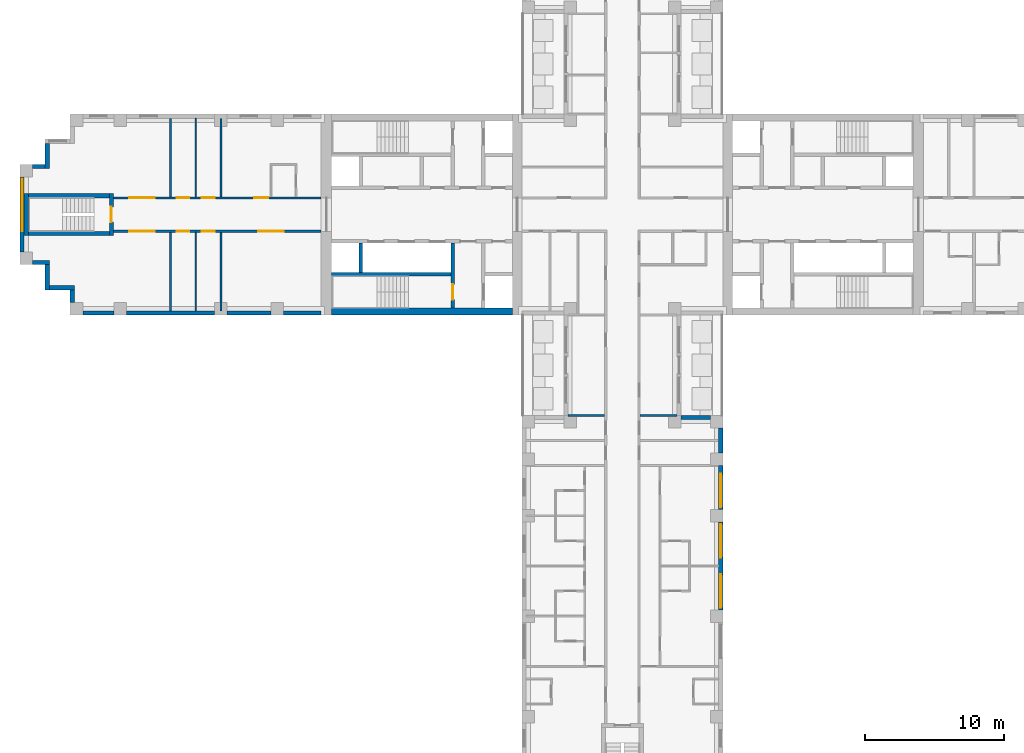
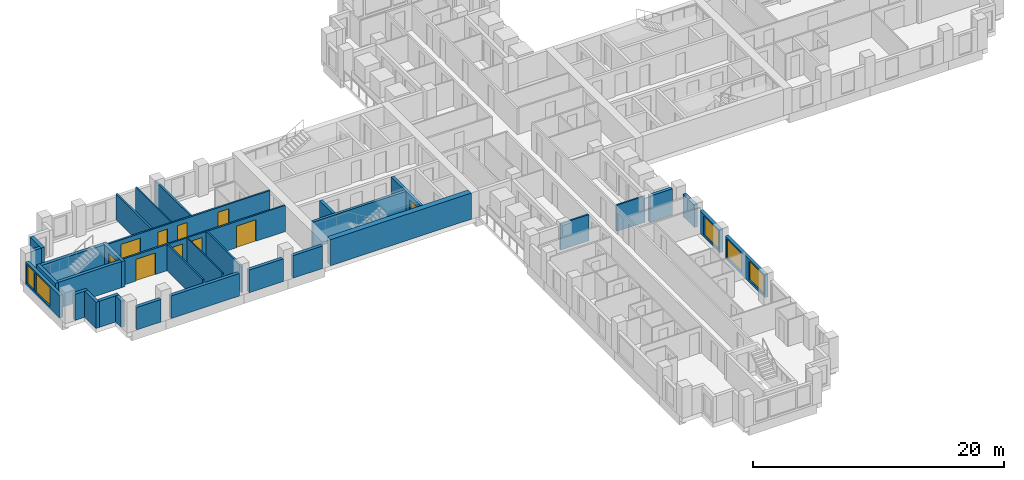
# One storey, part 5 of 13: 33 walls, 10 doors, 5 windows, 15 openings.
"""IFC4 building model written with IfcOpenShell, lengths in metres."""

from ifc_helpers import new_model, si_unit, direction, frame, frame_2d, origin, place, context, subcontext, project, spatial, rectangle, extrude, material, layer, layer_set, type_object, element, fill, save


model = new_model("IFC4")

# Units and contexts
model_context = context("Model", 3, precision=1e-05, world=origin(), true_north=direction((0.0, 1.0)))
body_context = subcontext(model_context, "Body", "Model", "MODEL_VIEW")
ifc_project = project(units=[si_unit("LENGTHUNIT", "METRE"), si_unit("AREAUNIT", "SQUARE_METRE"), si_unit("VOLUMEUNIT", "CUBIC_METRE"), si_unit("PLANEANGLEUNIT", "RADIAN"), si_unit("MASSUNIT", "GRAM", prefix="KILO")], contexts=[model_context])

# Site, building, storey
site_placement = place(None, origin())
site = spatial("IfcSite", under=ifc_project, at=site_placement, CompositionType="ELEMENT")
building_placement = place(site_placement, origin())
building = spatial("IfcBuilding", under=site, at=building_placement, Name="Fustian Cross Tower", CompositionType="ELEMENT")
storey_placement = place(building_placement, frame((0.0, 0.0, 108.89990234375)))
storey = spatial("IfcBuildingStorey", under=building, at=storey_placement, Name="L34", CompositionType="ELEMENT", Elevation=108.89990234375)

# Wall, openings, doors
ifc_material_1 = material(Name="Plasterboard on steel stud", Category="steel")
ifc_layer_1 = layer(ifc_material_1, 0.14990234375)
ifc_layer_set_1 = layer_set([ifc_layer_1], Name="Plasterboard on steel stud")
wall_type_1 = type_object("IfcWallType", Name="COMPARTMENT WALL 150 EI 60", PredefinedType="PARTITIONING", material=ifc_layer_set_1)
wall_1_placement = place(storey_placement, frame((-36.5, -1.199951171875, 0.0), z_axis=(0.0, 0.0, 1.0), x_axis=(1.0, 0.0, 0.0)))
wall_1 = element("IfcWall", 1, at=wall_1_placement, inside=storey, type_object=wall_type_1, Name="Partition 1", PredefinedType="PARTITIONING", context=body_context, shape_type="SweptSolid", body=[
    extrude(rectangle(XDim=14.89990234375, YDim=0.14990234375, at=frame_2d((7.449951171875, 0.0))), origin(), (0.0, 0.0, 1.0), 2.550048828125),
])
opening_1_placement = place(wall_1_placement, frame((10.39990234375, 0.0, 0.0)))
opening_1 = element("IfcOpeningElement", 2, at=opening_1_placement, cuts=wall_1, Name="Opening D15028", PredefinedType="OPENING", context=body_context, shape_type="SweptSolid", body=[
    extrude(rectangle(XDim=1.800048828125, YDim=2.10009765625, at=frame_2d((0.89990234375, 1.050048828125))), frame((0.0, 0.0849609375, 0.0), z_axis=(0.0, -1.0, 0.0), x_axis=(1.0, 0.0, 0.0)), (0.0, 0.0, 1.0), 0.169921875),
])
opening_2_placement = place(wall_1_placement, frame((6.35009765625, 0.0, 0.0)))
opening_2 = element("IfcOpeningElement", 3, at=opening_2_placement, cuts=wall_1, Name="Opening D15029", PredefinedType="OPENING", context=body_context, shape_type="SweptSolid", body=[
    extrude(rectangle(XDim=0.89990234375, YDim=2.10009765625, at=frame_2d((0.449951171875, 1.050048828125))), frame((0.0, 0.0849609375, 0.0), z_axis=(0.0, -1.0, 0.0), x_axis=(1.0, 0.0, 0.0)), (0.0, 0.0, 1.0), 0.169921875),
])
opening_3_placement = place(wall_1_placement, frame((4.550048828125, 0.0, 0.0)))
opening_3 = element("IfcOpeningElement", 4, at=opening_3_placement, cuts=wall_1, Name="Opening D15030", PredefinedType="OPENING", context=body_context, shape_type="SweptSolid", body=[
    extrude(rectangle(XDim=0.89990234375, YDim=2.10009765625, at=frame_2d((0.449951171875, 1.050048828125))), frame((0.0, 0.0849609375, 0.0), z_axis=(0.0, -1.0, 0.0), x_axis=(1.0, 0.0, 0.0)), (0.0, 0.0, 1.0), 0.169921875),
])
opening_4_placement = place(wall_1_placement, frame((1.14990234375, 0.0, 0.0)))
opening_4 = element("IfcOpeningElement", 5, at=opening_4_placement, cuts=wall_1, Name="Opening D15031", PredefinedType="OPENING", context=body_context, shape_type="SweptSolid", body=[
    extrude(rectangle(XDim=1.800048828125, YDim=2.10009765625, at=frame_2d((0.89990234375, 1.050048828125))), frame((0.0, 0.0849609375, 0.0), z_axis=(0.0, -1.0, 0.0), x_axis=(1.0, 0.0, 0.0)), (0.0, 0.0, 1.0), 0.169921875),
])
ifc_material_2 = material(Name="Timber fire door set", Category="wood")
door_type_1 = type_object("IfcDoorType", Name="FIRE DOUBLE DOOR 1800 FD30S", OperationType="DOUBLE_DOOR_DOUBLE_SWING", PredefinedType="DOOR", material=ifc_material_2)
door_1_placement = place(opening_1_placement, origin())
door_1 = element("IfcDoor", 6, at=door_1_placement, inside=storey, type_object=door_type_1, Name="Door D15028", OperationType="DOUBLE_DOOR_DOUBLE_SWING", OverallHeight=2.10009765625, OverallWidth=1.800048828125, PredefinedType="DOOR", context=body_context, shape_type="SweptSolid", body=[
    extrude(rectangle(XDim=1.800048828125, YDim=2.10009765625, at=frame_2d((0.89990234375, 1.050048828125))), frame((0.0, 0.02490234375, 0.0), z_axis=(0.0, -1.0, 0.0), x_axis=(1.0, 0.0, 0.0)), (0.0, 0.0, 1.0), 0.050048828125),
])
fill(opening_1, door_1)
door_2_placement = place(opening_4_placement, origin())
door_2 = element("IfcDoor", 7, at=door_2_placement, inside=storey, type_object=door_type_1, Name="Door D15031", OperationType="DOUBLE_DOOR_DOUBLE_SWING", OverallHeight=2.10009765625, OverallWidth=1.800048828125, PredefinedType="DOOR", context=body_context, shape_type="SweptSolid", body=[
    extrude(rectangle(XDim=1.800048828125, YDim=2.10009765625, at=frame_2d((0.89990234375, 1.050048828125))), frame((0.0, 0.02490234375, 0.0), z_axis=(0.0, -1.0, 0.0), x_axis=(1.0, 0.0, 0.0)), (0.0, 0.0, 1.0), 0.050048828125),
])
fill(opening_4, door_2)
ifc_material_3 = material(Name="Timber fire door set", Category="wood")
door_type_2 = type_object("IfcDoorType", Name="FIRE SWING DOOR 900 FD30S", OperationType="SINGLE_SWING_LEFT", PredefinedType="DOOR", material=ifc_material_3)
door_3_placement = place(opening_2_placement, frame((0.89990234375, 0.0, 0.0), z_axis=(0.0, 0.0, 1.0), x_axis=(-1.0, 0.0, 0.0)))
door_3 = element("IfcDoor", 8, at=door_3_placement, inside=storey, type_object=door_type_2, Name="Door D15029", OperationType="SINGLE_SWING_LEFT", OverallHeight=2.10009765625, OverallWidth=0.89990234375, PredefinedType="DOOR", context=body_context, shape_type="SweptSolid", body=[
    extrude(rectangle(XDim=0.89990234375, YDim=2.10009765625, at=frame_2d((0.449951171875, 1.050048828125))), frame((0.0, 0.02490234375, 0.0), z_axis=(0.0, -1.0, 0.0), x_axis=(1.0, 0.0, 0.0)), (0.0, 0.0, 1.0), 0.050048828125),
])
fill(opening_2, door_3)
door_4_placement = place(opening_3_placement, frame((0.89990234375, 0.0, 0.0), z_axis=(0.0, 0.0, 1.0), x_axis=(-1.0, 0.0, 0.0)))
door_4 = element("IfcDoor", 9, at=door_4_placement, inside=storey, type_object=door_type_2, Name="Door D15030", OperationType="SINGLE_SWING_LEFT", OverallHeight=2.10009765625, OverallWidth=0.89990234375, PredefinedType="DOOR", context=body_context, shape_type="SweptSolid", body=[
    extrude(rectangle(XDim=0.89990234375, YDim=2.10009765625, at=frame_2d((0.449951171875, 1.050048828125))), frame((0.0, 0.02490234375, 0.0), z_axis=(0.0, -1.0, 0.0), x_axis=(1.0, 0.0, 0.0)), (0.0, 0.0, 1.0), 0.050048828125),
])
fill(opening_3, door_4)

wall_2_placement = place(storey_placement, frame((-36.5, 1.199951171875, 0.0), z_axis=(0.0, 0.0, 1.0), x_axis=(1.0, 0.0, 0.0)))
wall_2 = element("IfcWall", 10, at=wall_2_placement, inside=storey, type_object=wall_type_1, Name="Partition 2", PredefinedType="PARTITIONING", context=body_context, shape_type="SweptSolid", body=[
    extrude(rectangle(XDim=14.89990234375, YDim=0.14990234375, at=frame_2d((7.449951171875, 0.0))), origin(), (0.0, 0.0, 1.0), 2.550048828125),
])
opening_5_placement = place(wall_2_placement, frame((10.10009765625, 0.0, 0.0)))
opening_5 = element("IfcOpeningElement", 11, at=opening_5_placement, cuts=wall_2, Name="Opening D15033", PredefinedType="OPENING", context=body_context, shape_type="SweptSolid", body=[
    extrude(rectangle(XDim=1.0, YDim=2.10009765625, at=frame_2d((0.5, 1.050048828125))), frame((0.0, 0.0849609375, 0.0), z_axis=(0.0, -1.0, 0.0), x_axis=(1.0, 0.0, 0.0)), (0.0, 0.0, 1.0), 0.169921875),
])
opening_6_placement = place(wall_2_placement, frame((6.35009765625, 0.0, 0.0)))
opening_6 = element("IfcOpeningElement", 12, at=opening_6_placement, cuts=wall_2, Name="Opening D15034", PredefinedType="OPENING", context=body_context, shape_type="SweptSolid", body=[
    extrude(rectangle(XDim=0.89990234375, YDim=2.10009765625, at=frame_2d((0.449951171875, 1.050048828125))), frame((0.0, 0.0849609375, 0.0), z_axis=(0.0, -1.0, 0.0), x_axis=(1.0, 0.0, 0.0)), (0.0, 0.0, 1.0), 0.169921875),
])
opening_7_placement = place(wall_2_placement, frame((4.550048828125, 0.0, 0.0)))
opening_7 = element("IfcOpeningElement", 13, at=opening_7_placement, cuts=wall_2, Name="Opening D15035", PredefinedType="OPENING", context=body_context, shape_type="SweptSolid", body=[
    extrude(rectangle(XDim=0.89990234375, YDim=2.10009765625, at=frame_2d((0.449951171875, 1.050048828125))), frame((0.0, 0.0849609375, 0.0), z_axis=(0.0, -1.0, 0.0), x_axis=(1.0, 0.0, 0.0)), (0.0, 0.0, 1.0), 0.169921875),
])
opening_8_placement = place(wall_2_placement, frame((1.14990234375, 0.0, 0.0)))
opening_8 = element("IfcOpeningElement", 14, at=opening_8_placement, cuts=wall_2, Name="Opening D15036", PredefinedType="OPENING", context=body_context, shape_type="SweptSolid", body=[
    extrude(rectangle(XDim=1.800048828125, YDim=2.10009765625, at=frame_2d((0.89990234375, 1.050048828125))), frame((0.0, 0.0849609375, 0.0), z_axis=(0.0, -1.0, 0.0), x_axis=(1.0, 0.0, 0.0)), (0.0, 0.0, 1.0), 0.169921875),
])
door_5_placement = place(opening_8_placement, frame((1.800048828125, 0.0, 0.0), z_axis=(0.0, 0.0, 1.0), x_axis=(-1.0, 0.0, 0.0)))
door_5 = element("IfcDoor", 15, at=door_5_placement, inside=storey, type_object=door_type_1, Name="Door D15036", OperationType="DOUBLE_DOOR_DOUBLE_SWING", OverallHeight=2.10009765625, OverallWidth=1.800048828125, PredefinedType="DOOR", context=body_context, shape_type="SweptSolid", body=[
    extrude(rectangle(XDim=1.800048828125, YDim=2.10009765625, at=frame_2d((0.89990234375, 1.050048828125))), frame((0.0, 0.02490234375, 0.0), z_axis=(0.0, -1.0, 0.0), x_axis=(1.0, 0.0, 0.0)), (0.0, 0.0, 1.0), 0.050048828125),
])
fill(opening_8, door_5)
ifc_material_4 = material(Name="Timber fire door set", Category="wood")
door_type_3 = type_object("IfcDoorType", Name="FIRE SWING DOOR 1000 FD30S", OperationType="SINGLE_SWING_LEFT", PredefinedType="DOOR", material=ifc_material_4)
door_6_placement = place(opening_5_placement, origin())
door_6 = element("IfcDoor", 16, at=door_6_placement, inside=storey, type_object=door_type_3, Name="Door D15033", OperationType="SINGLE_SWING_RIGHT", OverallHeight=2.10009765625, OverallWidth=1.0, PredefinedType="DOOR", context=body_context, shape_type="SweptSolid", body=[
    extrude(rectangle(XDim=1.0, YDim=2.10009765625, at=frame_2d((0.5, 1.050048828125))), frame((0.0, 0.02490234375, 0.0), z_axis=(0.0, -1.0, 0.0), x_axis=(1.0, 0.0, 0.0)), (0.0, 0.0, 1.0), 0.050048828125),
])
fill(opening_5, door_6)
door_7_placement = place(opening_6_placement, origin())
door_7 = element("IfcDoor", 17, at=door_7_placement, inside=storey, type_object=door_type_2, Name="Door D15034", OperationType="SINGLE_SWING_RIGHT", OverallHeight=2.10009765625, OverallWidth=0.89990234375, PredefinedType="DOOR", context=body_context, shape_type="SweptSolid", body=[
    extrude(rectangle(XDim=0.89990234375, YDim=2.10009765625, at=frame_2d((0.449951171875, 1.050048828125))), frame((0.0, 0.02490234375, 0.0), z_axis=(0.0, -1.0, 0.0), x_axis=(1.0, 0.0, 0.0)), (0.0, 0.0, 1.0), 0.050048828125),
])
fill(opening_6, door_7)
door_8_placement = place(opening_7_placement, origin())
door_8 = element("IfcDoor", 18, at=door_8_placement, inside=storey, type_object=door_type_2, Name="Door D15035", OperationType="SINGLE_SWING_RIGHT", OverallHeight=2.10009765625, OverallWidth=0.89990234375, PredefinedType="DOOR", context=body_context, shape_type="SweptSolid", body=[
    extrude(rectangle(XDim=0.89990234375, YDim=2.10009765625, at=frame_2d((0.449951171875, 1.050048828125))), frame((0.0, 0.02490234375, 0.0), z_axis=(0.0, -1.0, 0.0), x_axis=(1.0, 0.0, 0.0)), (0.0, 0.0, 1.0), 0.050048828125),
])
fill(opening_7, door_8)

# Walls
for number, where, z_axis, x_axis, name in (
    (19, (-32.39990234375, -6.89990234375, 0.0), (0.0, 0.0, 1.0), (0.0, 1.0, 0.0), "Partition 3"),
    (20, (-32.39990234375, 1.27490234375, 0.0), (0.0, 0.0, 1.0), (0.0, 1.0, 0.0), "Partition 4"),
    (21, (-28.800048828125, -6.89990234375, 0.0), (0.0, 0.0, 1.0), (0.0, 1.0, 0.0), "Partition 7"),
    (22, (-28.800048828125, 1.27490234375, 0.0), (0.0, 0.0, 1.0), (0.0, 1.0, 0.0), "Partition 8"),
):
    element("IfcWall", number, at=place(storey_placement, frame(where, z_axis=z_axis, x_axis=x_axis)), inside=storey, type_object=wall_type_1, Name=name, PredefinedType="PARTITIONING", context=body_context, shape_type="SweptSolid", body=[
        extrude(rectangle(XDim=5.625, YDim=0.14990234375, at=frame_2d((2.8125, 0.0))), origin(), (0.0, 0.0, 1.0), 2.550048828125),
    ])
for number, where, z_axis, x_axis, name in (
    (23, (-3.89990234375, -14.39990234375, 0.0), (0.0, 0.0, 1.0), (1.0, 0.0, 0.0), "Partition 31"),
    (24, (1.27490234375, -14.39990234375, 0.0), (0.0, 0.0, 1.0), (1.0, 0.0, 0.0), "Partition 47"),
):
    element("IfcWall", number, at=place(storey_placement, frame(where, z_axis=z_axis, x_axis=x_axis)), inside=storey, type_object=wall_type_1, Name=name, PredefinedType="PARTITIONING", context=body_context, shape_type="SweptSolid", body=[
        extrude(rectangle(XDim=2.625, YDim=0.14990234375, at=frame_2d((1.3125, 0.0))), origin(), (0.0, 0.0, 1.0), 2.550048828125),
    ])
ifc_material_5 = material(Name="Concrete C70/85", Category="concrete")
ifc_layer_2 = layer(ifc_material_5, 0.5)
ifc_layer_set_2 = layer_set([ifc_layer_2], Name="Concrete C70/85")
wall_type_2 = type_object("IfcWallType", Name="CORE FACADE WALL 500 C70/85", PredefinedType="SHEAR", material=ifc_layer_set_2)
wall_3_placement = place(storey_placement, frame((-7.89990234375, -6.949951171875, 0.0), z_axis=(0.0, 0.0, 1.0), x_axis=(-1.0, 0.0, 0.0)))
element("IfcWall", 25, at=wall_3_placement, inside=storey, type_object=wall_type_2, Name="Core facade wall", PredefinedType="SHEAR", context=body_context, shape_type="SweptSolid", body=[
    extrude(rectangle(XDim=12.9501953125, YDim=0.5, at=frame_2d((6.47509765625, 0.0))), origin(), (0.0, 0.0, 1.0), 2.550048828125),
])
ifc_material_6 = material(Name="Concrete C50/60", Category="concrete")
ifc_layer_3 = layer(ifc_material_6, 0.25)
ifc_layer_set_3 = layer_set([ifc_layer_3], Name="Concrete C50/60")
wall_type_3 = type_object("IfcWallType", Name="CORE SHAFT WALL 250 C50/60", PredefinedType="SHEAR", material=ifc_layer_set_3)
wall_4_placement = place(storey_placement, frame((-12.300048828125, -4.27490234375, 0.0), z_axis=(0.0, 0.0, 1.0), x_axis=(-1.0, 0.0, 0.0)))
element("IfcWall", 26, at=wall_4_placement, inside=storey, type_object=wall_type_3, Name="Core shaft wall", PredefinedType="SHEAR", context=body_context, shape_type="SweptSolid", body=[
    extrude(rectangle(XDim=8.550048828125, YDim=0.25, at=frame_2d((4.27490234375, 0.0))), origin(), (0.0, 0.0, 1.0), 2.550048828125),
])

# Wall, opening, door
wall_5_placement = place(storey_placement, frame((-12.175048828125, -2.050048828125, 0.0), z_axis=(0.0, 0.0, 1.0), x_axis=(0.0, -1.0, 0.0)))
wall_5 = element("IfcWall", 27, at=wall_5_placement, inside=storey, type_object=wall_type_3, Name="Core shaft wall", PredefinedType="SHEAR", context=body_context, shape_type="SweptSolid", body=[
    extrude(rectangle(XDim=4.64990234375, YDim=0.25, at=frame_2d((2.324951171875, 0.0))), origin(), (0.0, 0.0, 1.0), 2.550048828125),
])
opening_9_placement = place(wall_5_placement, frame((2.949951171875, 0.0, 0.0)))
opening_9 = element("IfcOpeningElement", 28, at=opening_9_placement, cuts=wall_5, Name="Opening CD-12-22", PredefinedType="OPENING", context=body_context, shape_type="SweptSolid", body=[
    extrude(rectangle(XDim=1.10009765625, YDim=2.10009765625, at=frame_2d((0.550048828125, 1.050048828125))), frame((0.0, 0.135009765625, 0.0), z_axis=(0.0, -1.0, 0.0), x_axis=(1.0, 0.0, 0.0)), (0.0, 0.0, 1.0), 0.27001953125),
])
ifc_material_7 = material(Name="Steel", Category="steel")
door_type_4 = type_object("IfcDoorType", Name="FIRE DOOR FD60S 1100X2100", OperationType="SINGLE_SWING_LEFT", PredefinedType="DOOR", material=ifc_material_7)
door_9_placement = place(opening_9_placement, frame((1.10009765625, 0.0, 0.0), z_axis=(0.0, 0.0, 1.0), x_axis=(-1.0, 0.0, 0.0)))
door_9 = element("IfcDoor", 29, at=door_9_placement, inside=storey, type_object=door_type_4, Name="Core door CD-12-22", OperationType="SINGLE_SWING_RIGHT", OverallHeight=2.10009765625, OverallWidth=1.10009765625, PredefinedType="DOOR", context=body_context, shape_type="SweptSolid", body=[
    extrude(rectangle(XDim=1.10009765625, YDim=2.10009765625, at=frame_2d((0.550048828125, 1.050048828125))), frame((0.0, 0.02490234375, 0.0), z_axis=(0.0, -1.0, 0.0), x_axis=(1.0, 0.0, 0.0)), (0.0, 0.0, 1.0), 0.050048828125),
])
fill(opening_9, door_9)

# Walls
ifc_material_8 = material(Name="Plasterboard on steel stud", Category="steel")
ifc_layer_4 = layer(ifc_material_8, 0.10009765625)
ifc_layer_set_4 = layer_set([ifc_layer_4], Name="Plasterboard on steel stud")
wall_type_4 = type_object("IfcWallType", Name="PARTITION 100 STUD", PredefinedType="PARTITIONING", material=ifc_layer_set_4)
for number, where, z_axis, x_axis, name in (
    (30, (-30.60009765625, -6.89990234375, 0.0), (0.0, 0.0, 1.0), (0.0, 1.0, 0.0), "Partition 5"),
    (31, (-30.60009765625, 1.27490234375, 0.0), (0.0, 0.0, 1.0), (0.0, 1.0, 0.0), "Partition 6"),
):
    element("IfcWall", number, at=place(storey_placement, frame(where, z_axis=z_axis, x_axis=x_axis)), inside=storey, type_object=wall_type_4, Name=name, PredefinedType="PARTITIONING", context=body_context, shape_type="SweptSolid", body=[
        extrude(rectangle(XDim=5.625, YDim=0.10009765625, at=frame_2d((2.8125, 0.0))), origin(), (0.0, 0.0, 1.0), 2.550048828125),
    ])
ifc_material_9 = material(Name="Concrete C40/50", Category="concrete")
ifc_layer_5 = layer(ifc_material_9, 0.25)
ifc_layer_set_5 = layer_set([ifc_layer_5], Name="Concrete C40/50")
wall_type_5 = type_object("IfcWallType", Name="SHAFT PARTITION WALL 250 C40/50", PredefinedType="PARTITIONING", material=ifc_layer_set_5)
wall_6_placement = place(storey_placement, frame((-18.77490234375, -2.050048828125, 0.0), z_axis=(0.0, 0.0, 1.0), x_axis=(0.0, -1.0, 0.0)))
element("IfcWall", 32, at=wall_6_placement, inside=storey, type_object=wall_type_5, Name="Core shaft wall", PredefinedType="PARTITIONING", context=body_context, shape_type="SweptSolid", body=[
    extrude(rectangle(XDim=2.099853515625, YDim=0.25, at=frame_2d((1.0498046875, 0.0))), origin(), (0.0, 0.0, 1.0), 2.550048828125),
])

# Wall, opening, door
ifc_material_10 = material(Name="Concrete C50/60", Category="concrete")
ifc_layer_6 = layer(ifc_material_10, 0.300048828125)
ifc_layer_set_6 = layer_set([ifc_layer_6], Name="Concrete C50/60")
wall_type_6 = type_object("IfcWallType", Name="STAIR ENCLOSURE WALL 300 C50/60", PredefinedType="SHEAR", material=ifc_layer_set_6)
wall_7_placement = place(storey_placement, frame((-36.64990234375, -1.5, 0.0), z_axis=(0.0, 0.0, 1.0), x_axis=(0.0, 1.0, 0.0)))
wall_7 = element("IfcWall", 33, at=wall_7_placement, inside=storey, type_object=wall_type_6, Name="Stair enclosure wall", PredefinedType="SHEAR", context=body_context, shape_type="SweptSolid", body=[
    extrude(rectangle(XDim=3.0, YDim=0.300048828125, at=frame_2d((1.5, 0.0))), origin(), (0.0, 0.0, 1.0), 2.550048828125),
])
opening_10_placement = place(wall_7_placement, frame((0.949951171875, 0.0, 0.0)))
opening_10 = element("IfcOpeningElement", 34, at=opening_10_placement, cuts=wall_7, Name="Opening CD-12-33", PredefinedType="OPENING", context=body_context, shape_type="SweptSolid", body=[
    extrude(rectangle(XDim=1.10009765625, YDim=2.10009765625, at=frame_2d((0.550048828125, 1.050048828125))), frame((0.0, 0.159912109375, 0.0), z_axis=(0.0, -1.0, 0.0), x_axis=(1.0, 0.0, 0.0)), (0.0, 0.0, 1.0), 0.320068359375),
])
door_10_placement = place(opening_10_placement, origin())
door_10 = element("IfcDoor", 35, at=door_10_placement, inside=storey, type_object=door_type_4, Name="Core door CD-12-33", OperationType="SINGLE_SWING_LEFT", OverallHeight=2.10009765625, OverallWidth=1.10009765625, PredefinedType="DOOR", context=body_context, shape_type="SweptSolid", body=[
    extrude(rectangle(XDim=1.10009765625, YDim=2.10009765625, at=frame_2d((0.550048828125, 1.050048828125))), frame((0.0, 0.02490234375, 0.0), z_axis=(0.0, -1.0, 0.0), x_axis=(1.0, 0.0, 0.0)), (0.0, 0.0, 1.0), 0.050048828125),
])
fill(opening_10, door_10)

# Walls
wall_8_placement = place(storey_placement, frame((-42.75, -1.5, 0.0), z_axis=(0.0, 0.0, 1.0), x_axis=(0.0, 1.0, 0.0)))
element("IfcWall", 36, at=wall_8_placement, inside=storey, type_object=wall_type_6, Name="Stair enclosure wall", PredefinedType="SHEAR", context=body_context, shape_type="SweptSolid", body=[
    extrude(rectangle(XDim=3.0, YDim=0.300048828125, at=frame_2d((1.5, 0.0))), origin(), (0.0, 0.0, 1.0), 2.550048828125),
])
for number, where, z_axis, x_axis, name in (
    (37, (-36.800048828125, -1.35009765625, 0.0), (0.0, 0.0, 1.0), (-1.0, 0.0, 0.0), "Stair enclosure wall"),
    (38, (-36.800048828125, 1.35009765625, 0.0), (0.0, 0.0, 1.0), (-1.0, 0.0, 0.0), "Stair enclosure wall"),
):
    element("IfcWall", number, at=place(storey_placement, frame(where, z_axis=z_axis, x_axis=x_axis)), inside=storey, type_object=wall_type_6, Name=name, PredefinedType="SHEAR", context=body_context, shape_type="SweptSolid", body=[
        extrude(rectangle(XDim=5.800048828125, YDim=0.300048828125, at=frame_2d((2.89990234375, 0.0))), origin(), (0.0, 0.0, 1.0), 2.550048828125),
    ])
ifc_material_11 = material(Name="Dark aluminium cladding on insulated backing wall", Category="aluminium")
ifc_layer_7 = layer(ifc_material_11, 0.300048828125)
ifc_layer_set_7 = layer_set([ifc_layer_7], Name="Dark aluminium cladding on insulated backing wall")
wall_type_7 = type_object("IfcWallType", Name="XW1 EXTERNAL WALL 300", PredefinedType="SOLIDWALL", material=ifc_layer_set_7)
wall_9_placement = place(storey_placement, frame((-41.25, 5.10009765625, 0.0), z_axis=(0.0, 0.0, 1.0), x_axis=(0.0, -1.0, 0.0)))
element("IfcWall", 39, at=wall_9_placement, inside=storey, type_object=wall_type_7, Name="External wall", PredefinedType="SOLIDWALL", context=body_context, shape_type="SweptSolid", body=[
    extrude(rectangle(XDim=1.800048828125, YDim=0.300048828125, at=frame_2d((0.89990234375, 0.0))), origin(), (0.0, 0.0, 1.0), 2.550048828125),
])
wall_10_placement = place(storey_placement, frame((-41.39990234375, 3.449951171875, 0.0), z_axis=(0.0, 0.0, 1.0), x_axis=(-1.0, 0.0, 0.0)))
element("IfcWall", 40, at=wall_10_placement, inside=storey, type_object=wall_type_7, Name="External wall", PredefinedType="SOLIDWALL", context=body_context, shape_type="SweptSolid", body=[
    extrude(rectangle(XDim=0.900146484375, YDim=0.300048828125, at=frame_2d((0.4501953125, 0.0))), origin(), (0.0, 0.0, 1.0), 2.550048828125),
])

# Wall, openings, windows
wall_11_placement = place(storey_placement, frame((-43.050048828125, 2.699951171875, 0.0), z_axis=(0.0, 0.0, 1.0), x_axis=(0.0, -1.0, 0.0)))
wall_11 = element("IfcWall", 41, at=wall_11_placement, inside=storey, type_object=wall_type_7, Name="External wall", PredefinedType="SOLIDWALL", context=body_context, shape_type="SweptSolid", body=[
    extrude(rectangle(XDim=5.39990234375, YDim=0.300048828125, at=frame_2d((2.699951171875, 0.0))), origin(), (0.0, 0.0, 1.0), 2.2001953125),
])
opening_11_placement = place(wall_11_placement, frame((1.5, 0.0, 0.199951171875)))
opening_11 = element("IfcOpeningElement", 42, at=opening_11_placement, cuts=wall_11, Name="Opening WN1", PredefinedType="OPENING", context=body_context, shape_type="SweptSolid", body=[
    extrude(rectangle(XDim=2.39990234375, YDim=1.85009765625, at=frame_2d((1.199951171875, 0.925048828125))), frame((0.0, 0.159912109375, 0.0), z_axis=(0.0, -1.0, 0.0), x_axis=(1.0, 0.0, 0.0)), (0.0, 0.0, 1.0), 0.320068359375),
])
opening_12_placement = place(wall_11_placement, frame((0.14990234375, 0.0, 0.199951171875)))
opening_12 = element("IfcOpeningElement", 43, at=opening_12_placement, cuts=wall_11, Name="Opening WN3", PredefinedType="OPENING", context=body_context, shape_type="SweptSolid", body=[
    extrude(rectangle(XDim=1.199951171875, YDim=1.85009765625, at=frame_2d((0.60009765625, 0.925048828125))), frame((0.0, 0.159912109375, 0.0), z_axis=(0.0, -1.0, 0.0), x_axis=(1.0, 0.0, 0.0)), (0.0, 0.0, 1.0), 0.320068359375),
])
ifc_material_12 = material(Name="Dark anodised aluminium and double glazing", Category="aluminium")
window_type_1 = type_object("IfcWindowType", Name="WN1 WINDOW 2400X1850", PartitioningType="SINGLE_PANEL", PredefinedType="WINDOW", material=ifc_material_12)
window_1_placement = place(opening_11_placement, origin())
window_1 = element("IfcWindow", 44, at=window_1_placement, inside=storey, type_object=window_type_1, Name="Window", OverallHeight=1.85009765625, OverallWidth=2.39990234375, PartitioningType="SINGLE_PANEL", PredefinedType="WINDOW", context=body_context, shape_type="SweptSolid", body=[
    extrude(rectangle(XDim=2.39990234375, YDim=1.85009765625, at=frame_2d((1.199951171875, 0.925048828125))), frame((0.0, 0.030029296875, 0.0), z_axis=(0.0, -1.0, 0.0), x_axis=(1.0, 0.0, 0.0)), (0.0, 0.0, 1.0), 0.06005859375),
])
fill(opening_11, window_1)
ifc_material_13 = material(Name="Dark anodised aluminium and double glazing", Category="aluminium")
window_type_2 = type_object("IfcWindowType", Name="WN3 WINDOW 1200X1850", PartitioningType="SINGLE_PANEL", PredefinedType="WINDOW", material=ifc_material_13)
window_2_placement = place(opening_12_placement, origin())
window_2 = element("IfcWindow", 45, at=window_2_placement, inside=storey, type_object=window_type_2, Name="Window", OverallHeight=1.85009765625, OverallWidth=1.199951171875, PartitioningType="SINGLE_PANEL", PredefinedType="WINDOW", context=body_context, shape_type="SweptSolid", body=[
    extrude(rectangle(XDim=1.199951171875, YDim=1.85009765625, at=frame_2d((0.60009765625, 0.925048828125))), frame((0.0, 0.030029296875, 0.0), z_axis=(0.0, -1.0, 0.0), x_axis=(1.0, 0.0, 0.0)), (0.0, 0.0, 1.0), 0.06005859375),
])
fill(opening_12, window_2)

# Walls
wall_12_placement = place(storey_placement, frame((-42.300048828125, -3.449951171875, 0.0), z_axis=(0.0, 0.0, 1.0), x_axis=(1.0, 0.0, 0.0)))
element("IfcWall", 46, at=wall_12_placement, inside=storey, type_object=wall_type_7, Name="External wall", PredefinedType="SOLIDWALL", context=body_context, shape_type="SweptSolid", body=[
    extrude(rectangle(XDim=1.199951171875, YDim=0.300048828125, at=frame_2d((0.60009765625, 0.0))), origin(), (0.0, 0.0, 1.0), 2.550048828125),
])
wall_13_placement = place(storey_placement, frame((-41.25, -3.60009765625, 0.0), z_axis=(0.0, 0.0, 1.0), x_axis=(0.0, -1.0, 0.0)))
element("IfcWall", 47, at=wall_13_placement, inside=storey, type_object=wall_type_7, Name="External wall", PredefinedType="SOLIDWALL", context=body_context, shape_type="SweptSolid", body=[
    extrude(rectangle(XDim=1.7998046875, YDim=0.300048828125, at=frame_2d((0.89990234375, 0.0))), origin(), (0.0, 0.0, 1.0), 2.550048828125),
])
wall_14_placement = place(storey_placement, frame((-41.10009765625, -5.25, 0.0), z_axis=(0.0, 0.0, 1.0), x_axis=(1.0, 0.0, 0.0)))
element("IfcWall", 48, at=wall_14_placement, inside=storey, type_object=wall_type_7, Name="External wall", PredefinedType="SOLIDWALL", context=body_context, shape_type="SweptSolid", body=[
    extrude(rectangle(XDim=1.800048828125, YDim=0.300048828125, at=frame_2d((0.89990234375, 0.0))), origin(), (0.0, 0.0, 1.0), 2.550048828125),
])
wall_15_placement = place(storey_placement, frame((-39.449951171875, -5.39990234375, 0.0), z_axis=(0.0, 0.0, 1.0), x_axis=(0.0, -1.0, 0.0)))
element("IfcWall", 49, at=wall_15_placement, inside=storey, type_object=wall_type_7, Name="External wall", PredefinedType="SOLIDWALL", context=body_context, shape_type="SweptSolid", body=[
    extrude(rectangle(XDim=0.900146484375, YDim=0.300048828125, at=frame_2d((0.4501953125, 0.0))), origin(), (0.0, 0.0, 1.0), 2.550048828125),
])
wall_16_placement = place(storey_placement, frame((-38.699951171875, -7.050048828125, 0.0), z_axis=(0.0, 0.0, 1.0), x_axis=(1.0, 0.0, 0.0)))
element("IfcWall", 50, at=wall_16_placement, inside=storey, type_object=wall_type_7, Name="External wall", PredefinedType="SOLIDWALL", context=body_context, shape_type="SweptSolid", body=[
    extrude(rectangle(XDim=2.25, YDim=0.300048828125, at=frame_2d((1.125, 0.0))), origin(), (0.0, 0.0, 1.0), 2.2001953125),
])
wall_17_placement = place(storey_placement, frame((-35.550048828125, -7.050048828125, 0.0), z_axis=(0.0, 0.0, 1.0), x_axis=(1.0, 0.0, 0.0)))
element("IfcWall", 51, at=wall_17_placement, inside=storey, type_object=wall_type_7, Name="External wall", PredefinedType="SOLIDWALL", context=body_context, shape_type="SweptSolid", body=[
    extrude(rectangle(XDim=6.300048828125, YDim=0.300048828125, at=frame_2d((3.14990234375, 0.0))), origin(), (0.0, 0.0, 1.0), 2.2001953125),
])
wall_18_placement = place(storey_placement, frame((-28.35009765625, -7.050048828125, 0.0), z_axis=(0.0, 0.0, 1.0), x_axis=(1.0, 0.0, 0.0)))
element("IfcWall", 52, at=wall_18_placement, inside=storey, type_object=wall_type_7, Name="External wall", PredefinedType="SOLIDWALL", context=body_context, shape_type="SweptSolid", body=[
    extrude(rectangle(XDim=3.150146484375, YDim=0.300048828125, at=frame_2d((1.5751953125, 0.0))), origin(), (0.0, 0.0, 1.0), 2.2001953125),
])
wall_19_placement = place(storey_placement, frame((-24.300048828125, -7.050048828125, 0.0), z_axis=(0.0, 0.0, 1.0), x_axis=(1.0, 0.0, 0.0)))
element("IfcWall", 53, at=wall_19_placement, inside=storey, type_object=wall_type_7, Name="External wall", PredefinedType="SOLIDWALL", context=body_context, shape_type="SweptSolid", body=[
    extrude(rectangle(XDim=2.699951171875, YDim=0.300048828125, at=frame_2d((1.35009765625, 0.0))), origin(), (0.0, 0.0, 1.0), 2.2001953125),
])

# Wall, openings, windows
wall_20_placement = place(storey_placement, frame((7.050048828125, -28.35009765625, 0.0), z_axis=(0.0, 0.0, 1.0), x_axis=(0.0, 1.0, 0.0)))
wall_20 = element("IfcWall", 54, at=wall_20_placement, inside=storey, type_object=wall_type_7, Name="External wall", PredefinedType="SOLIDWALL", context=body_context, shape_type="SweptSolid", body=[
    extrude(rectangle(XDim=6.300048828125, YDim=0.300048828125, at=frame_2d((3.14990234375, 0.0))), origin(), (0.0, 0.0, 1.0), 2.2001953125),
])
opening_13_placement = place(wall_20_placement, frame((0.14990234375, 0.0, 0.199951171875)))
opening_13 = element("IfcOpeningElement", 55, at=opening_13_placement, cuts=wall_20, Name="Opening WN1", PredefinedType="OPENING", context=body_context, shape_type="SweptSolid", body=[
    extrude(rectangle(XDim=2.39990234375, YDim=1.85009765625, at=frame_2d((1.199951171875, 0.925048828125))), frame((0.0, 0.159912109375, 0.0), z_axis=(0.0, -1.0, 0.0), x_axis=(1.0, 0.0, 0.0)), (0.0, 0.0, 1.0), 0.320068359375),
])
opening_14_placement = place(wall_20_placement, frame((3.75, 0.0, 0.199951171875)))
opening_14 = element("IfcOpeningElement", 56, at=opening_14_placement, cuts=wall_20, Name="Opening WN1", PredefinedType="OPENING", context=body_context, shape_type="SweptSolid", body=[
    extrude(rectangle(XDim=2.39990234375, YDim=1.85009765625, at=frame_2d((1.199951171875, 0.925048828125))), frame((0.0, 0.159912109375, 0.0), z_axis=(0.0, -1.0, 0.0), x_axis=(1.0, 0.0, 0.0)), (0.0, 0.0, 1.0), 0.320068359375),
])
window_3_placement = place(opening_13_placement, origin())
window_3 = element("IfcWindow", 57, at=window_3_placement, inside=storey, type_object=window_type_1, Name="Window", OverallHeight=1.85009765625, OverallWidth=2.39990234375, PartitioningType="SINGLE_PANEL", PredefinedType="WINDOW", context=body_context, shape_type="SweptSolid", body=[
    extrude(rectangle(XDim=2.39990234375, YDim=1.85009765625, at=frame_2d((1.199951171875, 0.925048828125))), frame((0.0, 0.030029296875, 0.0), z_axis=(0.0, -1.0, 0.0), x_axis=(1.0, 0.0, 0.0)), (0.0, 0.0, 1.0), 0.06005859375),
])
fill(opening_13, window_3)
window_4_placement = place(opening_14_placement, origin())
window_4 = element("IfcWindow", 58, at=window_4_placement, inside=storey, type_object=window_type_1, Name="Window", OverallHeight=1.85009765625, OverallWidth=2.39990234375, PartitioningType="SINGLE_PANEL", PredefinedType="WINDOW", context=body_context, shape_type="SweptSolid", body=[
    extrude(rectangle(XDim=2.39990234375, YDim=1.85009765625, at=frame_2d((1.199951171875, 0.925048828125))), frame((0.0, 0.030029296875, 0.0), z_axis=(0.0, -1.0, 0.0), x_axis=(1.0, 0.0, 0.0)), (0.0, 0.0, 1.0), 0.06005859375),
])
fill(opening_14, window_4)

# Wall, opening, window
wall_21_placement = place(storey_placement, frame((7.050048828125, -21.14990234375, 0.0), z_axis=(0.0, 0.0, 1.0), x_axis=(0.0, 1.0, 0.0)))
wall_21 = element("IfcWall", 59, at=wall_21_placement, inside=storey, type_object=wall_type_7, Name="External wall", PredefinedType="SOLIDWALL", context=body_context, shape_type="SweptSolid", body=[
    extrude(rectangle(XDim=3.14990234375, YDim=0.300048828125, at=frame_2d((1.574951171875, 0.0))), origin(), (0.0, 0.0, 1.0), 2.2001953125),
])
opening_15_placement = place(wall_21_placement, frame((0.14990234375, 0.0, 0.199951171875)))
opening_15 = element("IfcOpeningElement", 60, at=opening_15_placement, cuts=wall_21, Name="Opening WN1", PredefinedType="OPENING", context=body_context, shape_type="SweptSolid", body=[
    extrude(rectangle(XDim=2.39990234375, YDim=1.85009765625, at=frame_2d((1.199951171875, 0.925048828125))), frame((0.0, 0.159912109375, 0.0), z_axis=(0.0, -1.0, 0.0), x_axis=(1.0, 0.0, 0.0)), (0.0, 0.0, 1.0), 0.320068359375),
])
window_5_placement = place(opening_15_placement, origin())
window_5 = element("IfcWindow", 61, at=window_5_placement, inside=storey, type_object=window_type_1, Name="Window", OverallHeight=1.85009765625, OverallWidth=2.39990234375, PartitioningType="SINGLE_PANEL", PredefinedType="WINDOW", context=body_context, shape_type="SweptSolid", body=[
    extrude(rectangle(XDim=2.39990234375, YDim=1.85009765625, at=frame_2d((1.199951171875, 0.925048828125))), frame((0.0, 0.030029296875, 0.0), z_axis=(0.0, -1.0, 0.0), x_axis=(1.0, 0.0, 0.0)), (0.0, 0.0, 1.0), 0.06005859375),
])
fill(opening_15, window_5)

# Walls
wall_22_placement = place(storey_placement, frame((7.050048828125, -17.10009765625, 0.0), z_axis=(0.0, 0.0, 1.0), x_axis=(0.0, 1.0, 0.0)))
element("IfcWall", 62, at=wall_22_placement, inside=storey, type_object=wall_type_7, Name="External wall", PredefinedType="SOLIDWALL", context=body_context, shape_type="SweptSolid", body=[
    extrude(rectangle(XDim=1.800048828125, YDim=0.300048828125, at=frame_2d((0.89990234375, 0.0))), origin(), (0.0, 0.0, 1.0), 2.2001953125),
])
wall_23_placement = place(storey_placement, frame((6.300048828125, -14.550048828125, 0.0), z_axis=(0.0, 0.0, 1.0), x_axis=(-1.0, 0.0, 0.0)))
element("IfcWall", 63, at=wall_23_placement, inside=storey, type_object=wall_type_7, Name="External wall", PredefinedType="SOLIDWALL", context=body_context, shape_type="SweptSolid", body=[
    extrude(rectangle(XDim=2.10009765625, YDim=0.300048828125, at=frame_2d((1.050048828125, 0.0))), origin(), (0.0, 0.0, 1.0), 2.550048828125),
])

save(model, "model.ifc")
